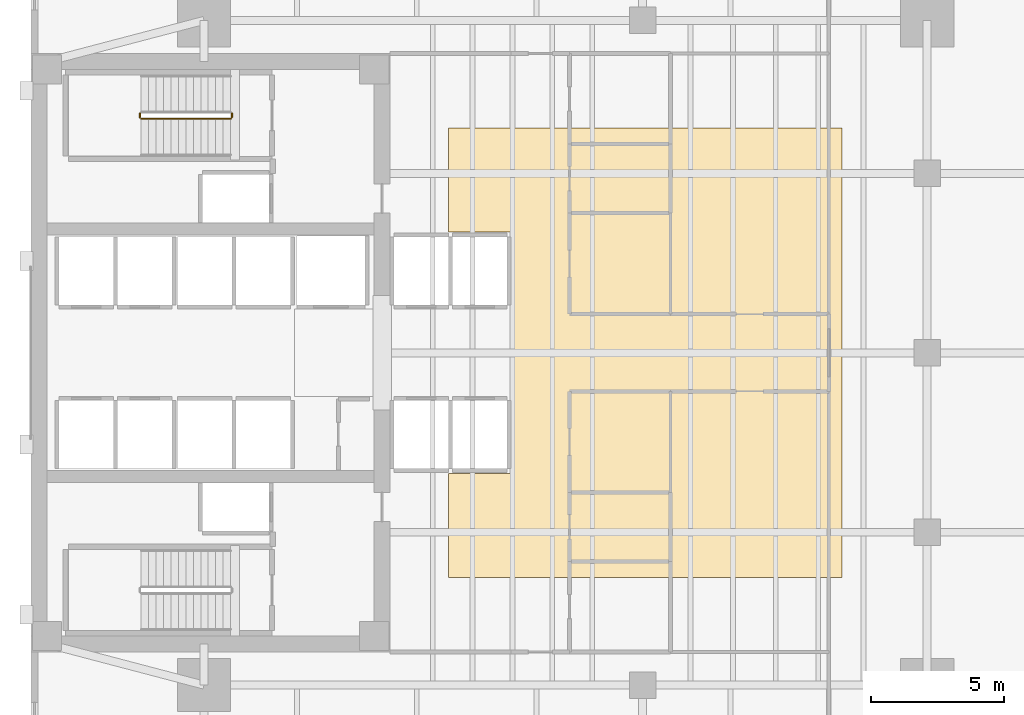
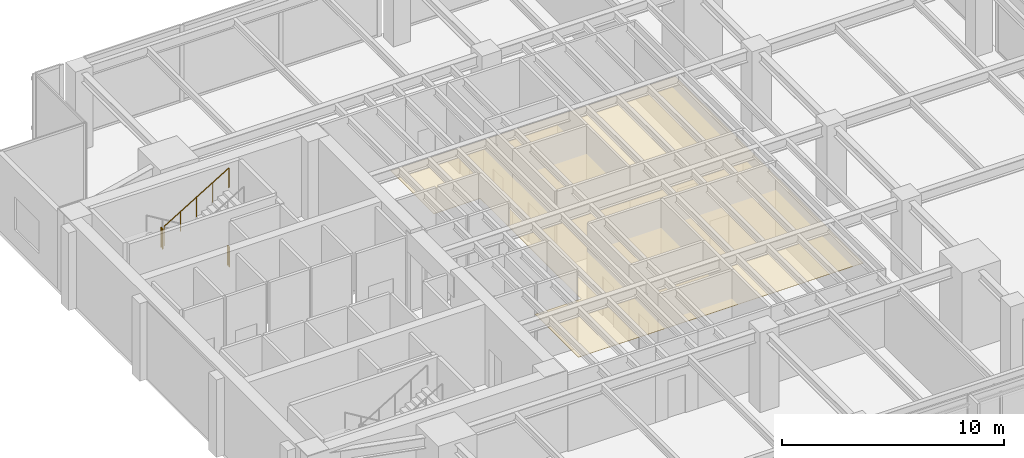
# One storey, part 13 of 14: 3 railings, 1 covering.
"""IFC4 building model written with IfcOpenShell, lengths in metres."""

from ifc_helpers import new_model, si_unit, direction, frame, origin, origin_2d, place, context, subcontext, project, spatial, polyline, circle, outline, extrude, material, layer, layer_set, type_object, element, save


model = new_model("IFC4")

# Units and contexts
model_context = context("Model", 3, precision=1e-05, world=origin(), true_north=direction((0.0, 1.0)))
body_context = subcontext(model_context, "Body", "Model", "MODEL_VIEW")
ifc_project = project(units=[si_unit("LENGTHUNIT", "METRE"), si_unit("AREAUNIT", "SQUARE_METRE"), si_unit("VOLUMEUNIT", "CUBIC_METRE"), si_unit("PLANEANGLEUNIT", "RADIAN"), si_unit("MASSUNIT", "GRAM", prefix="KILO")], contexts=[model_context])

# Site, building, storey
site_placement = place(None, origin())
site = spatial("IfcSite", under=ifc_project, at=site_placement, CompositionType="ELEMENT")
building_placement = place(site_placement, origin())
building = spatial("IfcBuilding", under=site, at=building_placement, Name="Kinhvarn Gate Tower", CompositionType="ELEMENT")
storey_placement = place(building_placement, frame((0.0, 0.0, 97.85009765625)))
storey = spatial("IfcBuildingStorey", under=building, at=storey_placement, Name="L25", CompositionType="ELEMENT", Elevation=97.85009765625)

# Covering
ifc_material_1 = material(Name="Mineral-fibre acoustic ceiling tile")
ifc_layer = layer(ifc_material_1, 0.02001953125)
ifc_layer_set = layer_set([ifc_layer], Name="Mineral-fibre acoustic ceiling tile")
covering_type = type_object("IfcCoveringType", Name="COV-CEIL-20", PredefinedType="CEILING", material=ifc_layer_set)
covering_placement = place(storey_placement, frame((0.0, 0.0, 2.64990234375)))
element("IfcCovering", 1, at=covering_placement, inside=storey, type_object=covering_type, Name="Suspended Acoustic Ceiling Tile (L25-1)", PredefinedType="CEILING", context=body_context, shape_type="SweptSolid", body=[
    extrude(outline(polyline([(35.0, 33.699951171875), (35.0, 16.800048828125), (20.199951171875, 16.800048828125), (20.199951171875, 20.699951171875), (22.60009765625, 20.699951171875), (22.60009765625, 29.800048828125), (20.199951171875, 29.800048828125), (20.199951171875, 33.699951171875), (35.0, 33.699951171875)])), origin(), (0.0, 0.0, 1.0), 0.02001953125),
])

# Railings
ifc_material_2 = material(Name="Steel S355", Category="steel")
railing_type = type_object("IfcRailingType", Name="RL-ST-GRD", PredefinedType="BALUSTRADE", material=ifc_material_2)
railing_1_placement = place(storey_placement, frame((8.590087890625, 34.25, 2.199951171875)))
element("IfcRailing", 2, at=railing_1_placement, inside=storey, type_object=railing_type, Name="L25 ST2 stair guard 2", PredefinedType="BALUSTRADE", context=body_context, shape_type="SweptSolid", body=[
    extrude(circle(Radius=0.02392578125, at=origin_2d()), frame((0.0, 0.0, 1.076171875), z_axis=(0.0, -1.0, 0.0), x_axis=(1.0, 0.0, 0.0)), (0.0, 0.0, 1.0), 0.14990234375),
    extrude(circle(Radius=0.02099609375, at=origin_2d()), origin(), (0.0, 0.0, 1.0), 1.052001953125),
    extrude(circle(Radius=0.02099609375, at=origin_2d()), frame((0.0, -0.14990234375, 0.0)), (0.0, 0.0, 1.0), 1.052001953125),
])
railing_2_placement = place(storey_placement, frame((8.639892578125, 34.050048828125, 2.369140625)))
element("IfcRailing", 3, at=railing_2_placement, inside=storey, type_object=railing_type, Name="L25 ST2 stair guard 3", PredefinedType="BALUSTRADE", context=body_context, shape_type="SweptSolid", body=[
    extrude(circle(Radius=0.02392578125, at=origin_2d()), frame((0.0, 0.0, 1.076171875), z_axis=(0.855836976705, 0.0, 0.517245656632), x_axis=(0.0, 1.0, 0.0)), (0.0, 0.0, 1.0), 3.926025390625),
    extrude(circle(Radius=0.02099609375, at=origin_2d()), origin(), (0.0, 0.0, 1.0), 1.052001953125),
    extrude(circle(Radius=0.02099609375, at=origin_2d()), frame((0.840087890625, 0.0, 0.5078125)), (0.0, 0.0, 1.0), 1.052001953125),
    extrude(circle(Radius=0.02099609375, at=origin_2d()), frame((1.68017578125, 0.0, 1.015380859375)), (0.0, 0.0, 1.0), 1.052001953125),
    extrude(circle(Radius=0.02099609375, at=origin_2d()), frame((2.52001953125, 0.0, 1.52294921875)), (0.0, 0.0, 1.0), 1.052001953125),
    extrude(circle(Radius=0.02099609375, at=origin_2d()), frame((3.360107421875, 0.0, 2.03076171875)), (0.0, 0.0, 1.0), 1.052001953125),
])
railing_3_placement = place(storey_placement, frame((12.050048828125, 34.25, 0.0)))
element("IfcRailing", 4, at=railing_3_placement, inside=storey, type_object=railing_type, Name="L25 ST2 stair guard 4", PredefinedType="BALUSTRADE", context=body_context, shape_type="SweptSolid", body=[
    extrude(circle(Radius=0.02392578125, at=origin_2d()), frame((0.0, 0.0, 1.076171875), z_axis=(0.0, -1.0, 0.0), x_axis=(1.0, 0.0, 0.0)), (0.0, 0.0, 1.0), 0.14990234375),
    extrude(circle(Radius=0.02099609375, at=origin_2d()), origin(), (0.0, 0.0, 1.0), 1.052001953125),
    extrude(circle(Radius=0.02099609375, at=origin_2d()), frame((0.0, -0.14990234375, 0.0)), (0.0, 0.0, 1.0), 1.052001953125),
])

save(model, "model.ifc")
